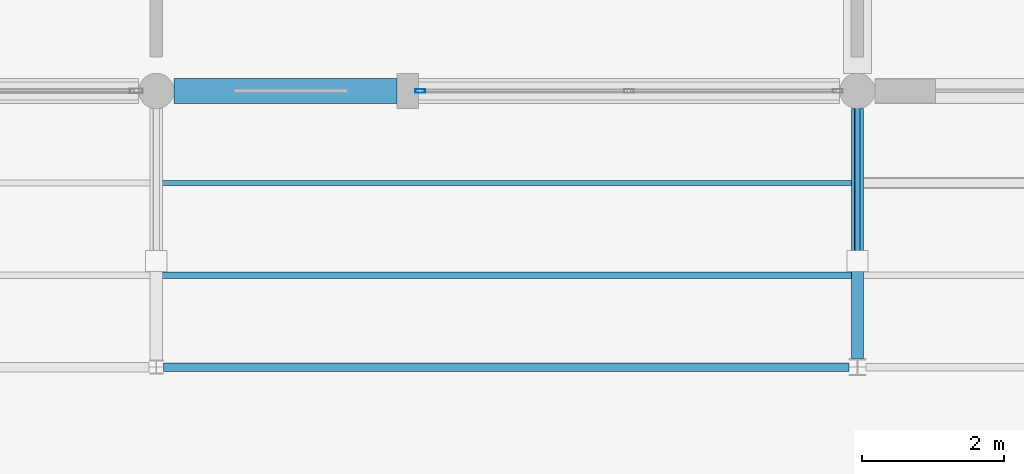
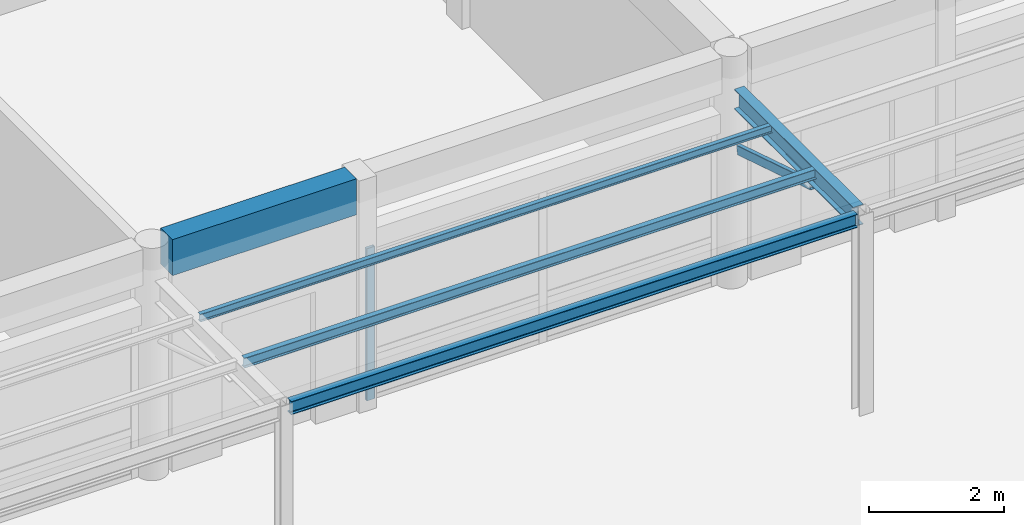
# One storey, part 18 of 75: 4 members, 3 beams, 1 element without a shape of its own.
"""IFC4 building model written with IfcOpenShell, lengths in metres."""

from ifc_helpers import new_model, si_unit, direction, frame, origin, origin_2d, place, context, subcontext, project, spatial, rectangle, hollow_rectangle, i_section, extrude, material, material_profile, profile_set, type_object, element, aggregate, save


model = new_model("IFC4")

# Units and contexts
model_context = context("Model", 3, precision=1e-05, world=origin(), true_north=direction((0.0, 1.0)))
body_context = subcontext(model_context, "Body", "Model", "MODEL_VIEW")
ifc_project = project(units=[si_unit("LENGTHUNIT", "METRE"), si_unit("AREAUNIT", "SQUARE_METRE"), si_unit("VOLUMEUNIT", "CUBIC_METRE"), si_unit("PLANEANGLEUNIT", "RADIAN"), si_unit("MASSUNIT", "GRAM", prefix="KILO")], contexts=[model_context])

# Site, building, storey
site_placement = place(None, origin())
site = spatial("IfcSite", under=ifc_project, at=site_placement, CompositionType="ELEMENT")
building_placement = place(site_placement, origin())
building = spatial("IfcBuilding", under=site, at=building_placement, Name="Kernevlak Ridge Housing Community", CompositionType="ELEMENT")
storey_placement = place(building_placement, origin())
storey = spatial("IfcBuildingStorey", under=building, at=storey_placement, Name="L00", CompositionType="ELEMENT", Elevation=0.0)

# Beam
ifc_material_1 = material(Name="Concrete C35/45", Category="concrete")
ifc_material_profile_1 = material_profile(ifc_material_1, rectangle(XDim=0.35009765625, YDim=0.64990234375, at=origin_2d()), Name="RC 350x650")
ifc_profile_set_1 = profile_set([ifc_material_profile_1], Name="Concrete C35/45")
beam_type_1 = type_object("IfcBeamType", Name="B-02", PredefinedType="BEAM", material=ifc_profile_set_1)
beam_1_placement = place(storey_placement, frame((74.35009765625, 7.800048828125, 3.875), z_axis=(1.0, 0.0, 0.0), x_axis=(0.0, 1.0, 0.0)))
element("IfcBeam", 1, at=beam_1_placement, inside=storey, type_object=beam_type_1, Name="Beam B-02 L00 2045", PredefinedType="BEAM", context=body_context, shape_type="SweptSolid", body=[
    extrude(rectangle(XDim=0.35009765625, YDim=0.64990234375, at=origin_2d()), origin(), (0.0, 0.0, 1.0), 3.14990234375),
])

# Curtain wall, member
ifc_material_2 = material(Name="Aluminium EN AW-6060 anodised and laminated glass", Category="aluminium")
curtain_wall_type = type_object("IfcCurtainWallType", Name="CW-03", PredefinedType="NOTDEFINED", material=ifc_material_2)
curtain_wall_placement = place(storey_placement, origin())
curtain_wall = element("IfcCurtainWall", 2, at=curtain_wall_placement, inside=storey, type_object=curtain_wall_type, Name="Curtain wall CW-03 CW-L00-171", PredefinedType="NOTDEFINED")
ifc_material_3 = material(Name="Aluminium EN AW-6060 anodised", Category="aluminium")
ifc_material_profile_2 = material_profile(ifc_material_3, hollow_rectangle(XDim=0.054931640625, YDim=0.139892578125, WallThickness=0.00390625, InnerFilletRadius=0.001953125, OuterFilletRadius=0.00390625, at=origin_2d()), Name="ALU 55x140x4")
ifc_profile_set_2 = profile_set([ifc_material_profile_2], Name="Aluminium EN AW-6060 anodised")
member_type_1 = type_object("IfcMemberType", Name="MU-01", PredefinedType="MULLION", material=ifc_profile_set_2)
member_1_placement = place(storey_placement, frame((77.827392578125, 7.800048828125, 0.0), z_axis=(0.0, 0.0, 1.0), x_axis=(0.0, 1.0, 0.0)))
member_1 = element("IfcMember", 3, at=member_1_placement, type_object=member_type_1, Name="CW-03 mullion 1", PredefinedType="MULLION", context=body_context, shape_type="SweptSolid", body=[
    extrude(hollow_rectangle(XDim=0.054931640625, YDim=0.139892578125, WallThickness=0.00390625, InnerFilletRadius=0.001953125, OuterFilletRadius=0.00390625, at=origin_2d()), origin(), (0.0, 0.0, 1.0), 2.75),
])
aggregate(curtain_wall, [member_1])

# Members
ifc_material_4 = material(Name="Steel S355", Category="steel")
ifc_material_profile_3 = material_profile(ifc_material_4, i_section(OverallWidth=0.091064453125, OverallDepth=0.179931640625, WebThickness=0.00537109375, FlangeThickness=0.008056640625, FilletRadius=0.009033203125, at=origin_2d()), Name="IPE 180")
ifc_profile_set_3 = profile_set([ifc_material_profile_3], Name="Steel S355")
member_type_2 = type_object("IfcMemberType", Name="PU-02", PredefinedType="PURLIN", material=ifc_profile_set_3)
member_2_placement = place(storey_placement, frame((74.159912109375, 5.199951171875, 3.530029296875), z_axis=(1.0, 0.0, 0.0), x_axis=(0.0, 1.0, 0.0)))
element("IfcMember", 4, at=member_2_placement, inside=storey, type_object=member_type_2, Name="Canopy steel purlin PU-02 2.1", PredefinedType="PURLIN", context=body_context, shape_type="SweptSolid", body=[
    extrude(i_section(OverallWidth=0.091064453125, OverallDepth=0.179931640625, WebThickness=0.00537109375, FlangeThickness=0.008056640625, FilletRadius=0.009033203125, at=origin_2d()), origin(), (0.0, 0.0, 1.0), 9.780029296875),
])
ifc_material_profile_4 = material_profile(ifc_material_4, i_section(OverallWidth=0.072998046875, OverallDepth=0.139892578125, WebThickness=0.004638671875, FlangeThickness=0.0068359375, FilletRadius=0.007080078125, at=origin_2d()), Name="IPE 140")
ifc_profile_set_4 = profile_set([ifc_material_profile_4], Name="Steel S355")
member_type_3 = type_object("IfcMemberType", Name="PU-04", PredefinedType="PURLIN", material=ifc_profile_set_4)
member_3_placement = place(storey_placement, frame((74.159912109375, 6.5, 3.550048828125), z_axis=(1.0, 0.0, 0.0), x_axis=(0.0, 1.0, 0.0)))
element("IfcMember", 5, at=member_3_placement, inside=storey, type_object=member_type_3, Name="Canopy steel purlin PU-04 2.2", PredefinedType="PURLIN", context=body_context, shape_type="SweptSolid", body=[
    extrude(i_section(OverallWidth=0.072998046875, OverallDepth=0.139892578125, WebThickness=0.004638671875, FlangeThickness=0.0068359375, FilletRadius=0.007080078125, at=origin_2d()), origin(), (0.0, 0.0, 1.0), 9.780029296875),
])

# Beams
ifc_material_profile_5 = material_profile(ifc_material_4, i_section(OverallWidth=0.169921875, OverallDepth=0.360107421875, WebThickness=0.008056640625, FlangeThickness=0.0126953125, FilletRadius=0.01806640625, at=origin_2d()), Name="IPE 360")
ifc_profile_set_5 = profile_set([ifc_material_profile_5], Name="Steel S355")
beam_type_2 = type_object("IfcBeamType", Name="SB-03", PredefinedType="BEAM", material=ifc_profile_set_5)
beam_2_placement = place(storey_placement, frame((84.0, 4.02001953125, 3.43994140625), z_axis=(0.0, 1.0, 0.0), x_axis=(-1.0, 0.0, 0.0)))
element("IfcBeam", 6, at=beam_2_placement, inside=storey, type_object=beam_type_2, Name="Canopy transverse steel beam SB-03 3", PredefinedType="BEAM", context=body_context, shape_type="SweptSolid", body=[
    extrude(i_section(OverallWidth=0.169921875, OverallDepth=0.360107421875, WebThickness=0.008056640625, FlangeThickness=0.0126953125, FilletRadius=0.01806640625, at=origin_2d()), origin(), (0.0, 0.0, 1.0), 3.530029296875),
])
ifc_material_profile_6 = material_profile(ifc_material_4, i_section(OverallWidth=0.1201171875, OverallDepth=0.239990234375, WebThickness=0.006103515625, FlangeThickness=0.009765625, FilletRadius=0.014892578125, at=origin_2d()), Name="IPE 240")
ifc_profile_set_6 = profile_set([ifc_material_profile_6], Name="Steel S355")
beam_type_3 = type_object("IfcBeamType", Name="SB-07", PredefinedType="BEAM", material=ifc_profile_set_6)
beam_3_placement = place(storey_placement, frame((74.199951171875, 3.89990234375, 3.5), z_axis=(1.0, 0.0, 0.0), x_axis=(0.0, 1.0, 0.0)))
element("IfcBeam", 7, at=beam_3_placement, inside=storey, type_object=beam_type_3, Name="Beam SB-07 L00 2473", PredefinedType="BEAM", context=body_context, shape_type="SweptSolid", body=[
    extrude(i_section(OverallWidth=0.1201171875, OverallDepth=0.239990234375, WebThickness=0.006103515625, FlangeThickness=0.009765625, FilletRadius=0.014892578125, at=origin_2d()), origin(), (0.0, 0.0, 1.0), 9.679931640625),
])

# Member
ifc_material_profile_7 = material_profile(ifc_material_4, hollow_rectangle(XDim=0.080078125, YDim=0.159912109375, WallThickness=0.00634765625, InnerFilletRadius=0.00634765625, OuterFilletRadius=0.009521484375, at=origin_2d()), Name="RHS 160x80x6.3")
ifc_profile_set_7 = profile_set([ifc_material_profile_7], Name="Steel S355")
member_type_4 = type_object("IfcMemberType", Name="ST-03", PredefinedType="STRUT", material=ifc_profile_set_7)
member_4_placement = place(storey_placement, frame((84.0, 7.550048828125, 2.5), z_axis=(0.0, -0.954855409476, 0.297070946062), x_axis=(1.0, 0.0, 0.0)))
element("IfcMember", 8, at=member_4_placement, inside=storey, type_object=member_type_4, Name="Canopy diagonal tie strut ST-03 3", PredefinedType="STRUT", context=body_context, shape_type="SweptSolid", body=[
    extrude(hollow_rectangle(XDim=0.080078125, YDim=0.159912109375, WallThickness=0.00634765625, InnerFilletRadius=0.00634765625, OuterFilletRadius=0.009521484375, at=origin_2d()), origin(), (0.0, 0.0, 1.0), 2.251708984375),
])

save(model, "model.ifc")
